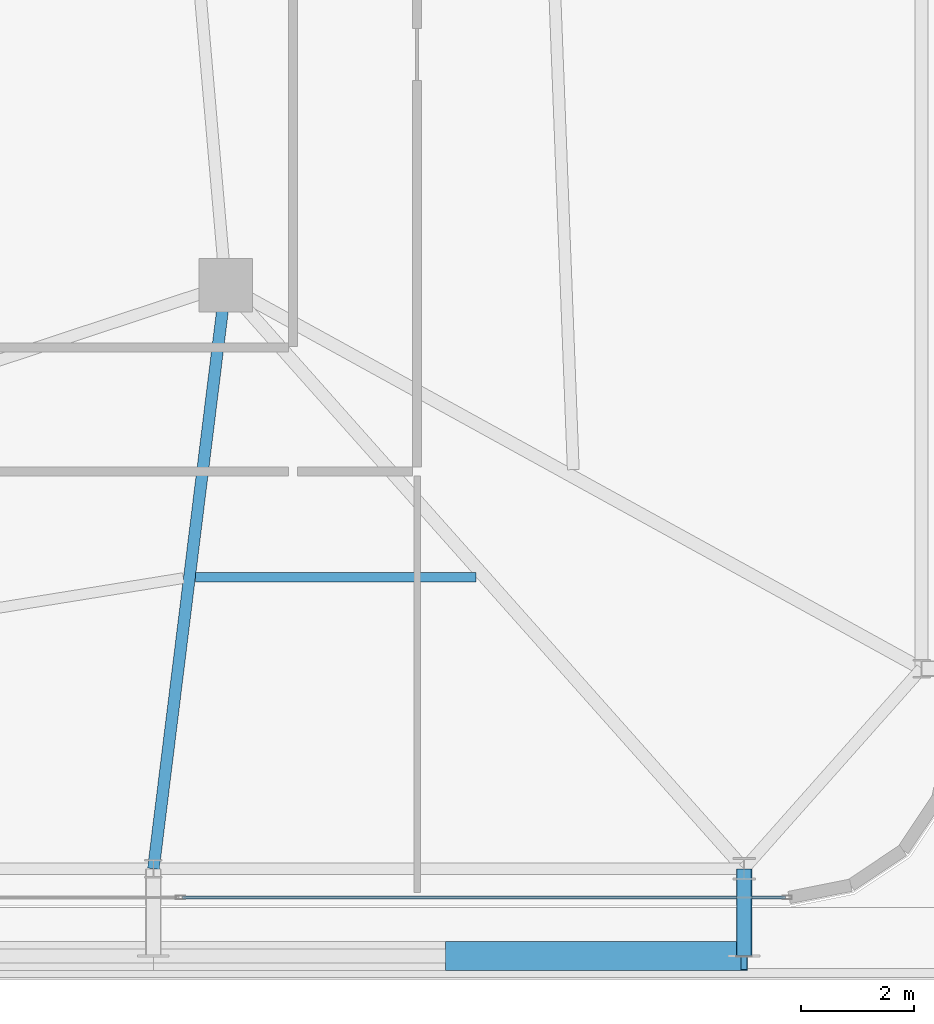
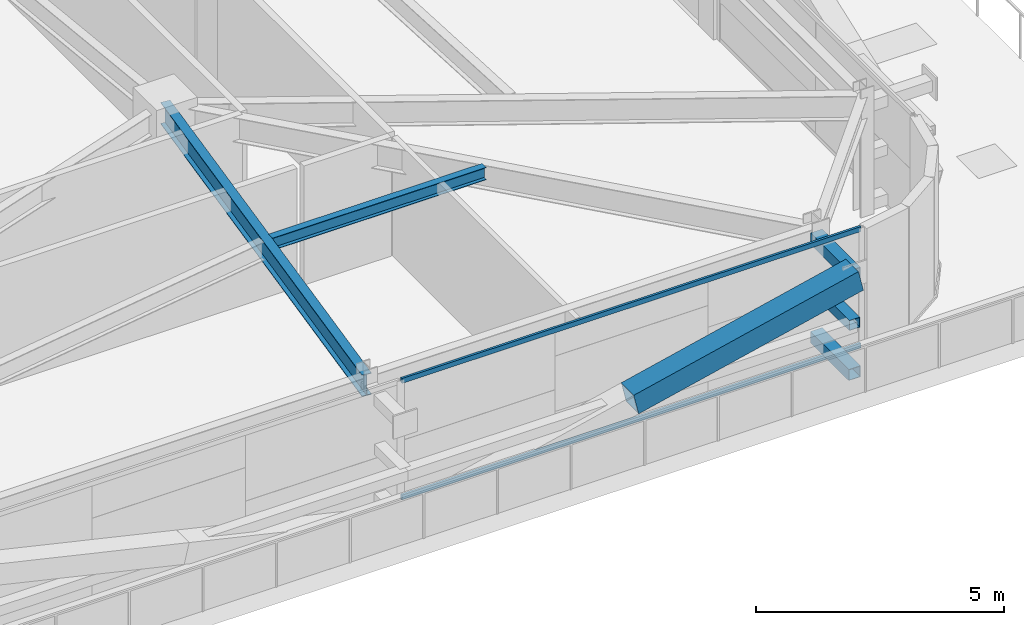
# One storey, part 22 of 56: 6 members, 2 beams, 1 element without a shape of its own.
"""IFC4 building model written with IfcOpenShell, lengths in metres."""

from ifc_helpers import new_model, si_unit, direction, frame, origin, origin_2d, place, context, subcontext, project, spatial, hollow_rectangle, i_section, extrude, source, transform, mapped, material, layer, layer_set, material_profile, profile_set, type_object, element, aggregate, save


model = new_model("IFC4")

# Units and contexts
model_context = context("Model", 3, precision=1e-05, world=origin(), true_north=direction((0.0, 1.0)))
body_context = subcontext(model_context, "Body", "Model", "MODEL_VIEW")
ifc_project = project(units=[si_unit("LENGTHUNIT", "METRE"), si_unit("AREAUNIT", "SQUARE_METRE"), si_unit("VOLUMEUNIT", "CUBIC_METRE"), si_unit("PLANEANGLEUNIT", "RADIAN"), si_unit("MASSUNIT", "GRAM", prefix="KILO")], contexts=[model_context])

# Site, building, storey
site_placement = place(None, origin())
site = spatial("IfcSite", under=ifc_project, at=site_placement, CompositionType="ELEMENT")
building_placement = place(site_placement, origin())
building = spatial("IfcBuilding", under=site, at=building_placement, Name="Taldren Reach Tower", CompositionType="ELEMENT")
storey_placement = place(building_placement, frame((0.0, 0.0, 16.800048828125)))
storey = spatial("IfcBuildingStorey", under=building, at=storey_placement, Name="L04", CompositionType="ELEMENT", Elevation=16.800048828125)

# Beams
ifc_material_1 = material(Name="Steel Gr 350 (350PLUS)", Category="steel")
ifc_material_profile_1 = material_profile(ifc_material_1, i_section(OverallWidth=0.208984375, OverallDepth=0.532958984375, WebThickness=0.01025390625, FlangeThickness=0.015625, at=origin_2d()), Name="530UB92.4")
ifc_profile_set_1 = profile_set([ifc_material_profile_1], Name="Steel Gr 350 (350PLUS)")
beam_type_1 = type_object("IfcBeamType", Name="BM-UB530A", PredefinedType="BEAM", material=ifc_profile_set_1)
shared_shape_1 = source(origin(), body_context, "Body", "SweptSolid", [
    extrude(i_section(OverallWidth=0.208984375, OverallDepth=0.532958984375, WebThickness=0.01025390625, FlangeThickness=0.015625, at=origin_2d()), origin(), (0.0, 0.0, 1.0), 10.428955078125),
])
beam_1_placement = place(storey_placement, frame((52.0, 12.5, 2.663330078125), z_axis=(-0.122738080664, -0.992439098159, 0.0), x_axis=(0.992439098159, -0.122738080664, 0.0)))
element("IfcBeam", 1, at=beam_1_placement, inside=storey, type_object=beam_type_1, Name="Primary floor girder B1-S5 L04", PredefinedType="BEAM", context=body_context, shape_type="MappedRepresentation", body=[
    mapped(shared_shape_1, transform((0.0, 0.0, 0.0), scale=1.0)),
])
ifc_material_2 = material(Name="Steel Gr 300 (300PLUS, 300 MPa)", Category="steel")
ifc_material_profile_2 = material_profile(ifc_material_2, i_section(OverallWidth=0.166015625, OverallDepth=0.306884765625, WebThickness=0.006591796875, FlangeThickness=0.01171875, at=origin_2d()), Name="310UB46.2")
ifc_profile_set_2 = profile_set([ifc_material_profile_2], Name="Steel Gr 300 (300PLUS, 300 MPa)")
beam_type_2 = type_object("IfcBeamType", Name="JS-UB310", PredefinedType="JOIST", material=ifc_profile_set_2)
shared_shape_2 = source(origin(), body_context, "Body", "SweptSolid", [
    extrude(i_section(OverallWidth=0.166015625, OverallDepth=0.306884765625, WebThickness=0.006591796875, FlangeThickness=0.01171875, at=origin_2d()), origin(), (0.0, 0.0, 1.0), 4.982177734375),
])
beam_2_placement = place(storey_placement, frame((51.46533203125, 7.324951171875, 2.7763671875), z_axis=(1.0, 0.0, 0.0), x_axis=(0.0, 1.0, 0.0)))
element("IfcBeam", 2, at=beam_2_placement, inside=storey, type_object=beam_type_2, Name="Secondary floor joist B1 J5 L04", PredefinedType="JOIST", context=body_context, shape_type="MappedRepresentation", body=[
    mapped(shared_shape_2, transform((0.0, 0.0, 0.0), scale=1.0)),
])

# Members
ifc_material_3 = material(Name="Steel Gr 450 (C450L0)", Category="steel")
ifc_material_profile_3 = material_profile(ifc_material_3, hollow_rectangle(XDim=0.27490234375, YDim=0.27490234375, WallThickness=0.00927734375, at=origin_2d()), Name="275x275x9.3SHS")
ifc_profile_set_3 = profile_set([ifc_material_profile_3], Name="Steel Gr 450 (C450L0)")
member_type_1 = type_object("IfcMemberType", Name="MB-TIE273", PredefinedType="STRUT", material=ifc_profile_set_3)
shared_shape_3 = source(origin(), body_context, "Body", "SweptSolid", [
    extrude(hollow_rectangle(XDim=0.27490234375, YDim=0.27490234375, WallThickness=0.00927734375, at=origin_2d()), origin(), (0.0, 0.0, 1.0), 1.5498046875),
])
for number, where, z_axis, x_axis, name in (
    (3, (61.199951171875, 2.14990234375, 2.64990234375), (0.0, -1.0, 0.0), (1.0, 0.0, 0.0), "Exoskeleton diaphragm tie strut B1-S6 L04"),
    (4, (61.199951171875, 2.14990234375, 0.219970703125), (0.0, -1.0, 0.0), (1.0, 0.0, 0.0), "Exoskeleton base diaphragm tie strut B1-S6 L04"),
):
    element("IfcMember", number, at=place(storey_placement, frame(where, z_axis=z_axis, x_axis=x_axis)), inside=storey, type_object=member_type_1, Name=name, PredefinedType="STRUT", context=body_context, shape_type="MappedRepresentation", body=[
        mapped(shared_shape_3, transform((0.0, 0.0, 0.0), scale=1.0)),
    ])
ifc_material_profile_4 = material_profile(ifc_material_3, hollow_rectangle(XDim=0.510009765625, YDim=0.510009765625, WallThickness=0.02001953125, at=origin_2d()), Name="510x510x20.0SHS")
ifc_profile_set_4 = profile_set([ifc_material_profile_4], Name="Steel Gr 450 (C450L0)")
member_type_2 = type_object("IfcMemberType", Name="MB-EXO508", PredefinedType="BRACE", material=ifc_profile_set_4)
shared_shape_4 = source(origin(), body_context, "Body", "SweptSolid", [
    extrude(hollow_rectangle(XDim=0.510009765625, YDim=0.510009765625, WallThickness=0.02001953125, at=origin_2d()), origin(), (0.0, 0.0, 1.0), 5.37890625),
])
member_1_placement = place(storey_placement, frame((55.9599609375, 0.60009765625, 1.43505859375), z_axis=(0.974161966843, 0.0, 0.225850531007), x_axis=(0.0, 1.0, 0.0)))
element("IfcMember", 5, at=member_1_placement, inside=storey, type_object=member_type_2, Name="Exoskeleton Diagrid Brace B1-S5 L04", PredefinedType="BRACE", context=body_context, shape_type="MappedRepresentation", body=[
    mapped(shared_shape_4, transform((0.0, 0.0, 0.0), scale=1.0)),
])
ifc_material_4 = material(Name="Steel Gr 350 (C350L0)", Category="steel")
ifc_material_profile_5 = material_profile(ifc_material_4, hollow_rectangle(XDim=0.25, YDim=0.25, WallThickness=0.010009765625, at=origin_2d()), Name="250x250x10.0SHS")
ifc_profile_set_5 = profile_set([ifc_material_profile_5], Name="Steel Gr 350 (C350L0)")
member_type_3 = type_object("IfcMemberType", Name="MB-POST250", PredefinedType="POST", material=ifc_profile_set_5)
shared_shape_5 = source(origin(), body_context, "Body", "SweptSolid", [
    extrude(hollow_rectangle(XDim=0.25, YDim=0.25, WallThickness=0.010009765625, at=origin_2d()), origin(), (0.0, 0.0, 1.0), 1.5498046875),
])
member_2_placement = place(storey_placement, frame((61.199951171875, 2.14990234375, 1.43505859375), z_axis=(0.0, -1.0, 0.0), x_axis=(1.0, 0.0, 0.0)))
element("IfcMember", 6, at=member_2_placement, inside=storey, type_object=member_type_3, Name="Exoskeleton mid-tier diaphragm tie B1-S6 L04", PredefinedType="POST", context=body_context, shape_type="MappedRepresentation", body=[
    mapped(shared_shape_5, transform((0.0, 0.0, 0.0), scale=1.0)),
])

# Curtain wall, members
ifc_material_5 = material(Name="Aluminium and Low-E Glass Unitised System", Category="aluminium")
ifc_layer = layer(ifc_material_5, 0.159912109375)
ifc_layer_set = layer_set([ifc_layer], Name="Aluminium and Low-E Glass Unitised System")
curtain_wall_type = type_object("IfcCurtainWallType", Name="CW-SYS-2", PredefinedType="NOTDEFINED", material=ifc_layer_set)
curtain_wall_placement = place(storey_placement, origin())
curtain_wall = element("IfcCurtainWall", 7, at=curtain_wall_placement, inside=storey, type_object=curtain_wall_type, Name="Unitised curtain wall CW-L04-S", PredefinedType="NOTDEFINED")
ifc_material_6 = material(Name="Anodised Aluminium 6063-T6", Category="aluminium")
ifc_material_profile_6 = material_profile(ifc_material_6, hollow_rectangle(XDim=0.054931640625, YDim=0.1201171875, WallThickness=0.0029296875, at=origin_2d()), Name="ALU-120x55x3RHS")
ifc_profile_set_6 = profile_set([ifc_material_profile_6], Name="Anodised Aluminium 6063-T6")
member_type_4 = type_object("IfcMemberType", Name="CW-TRN-135", PredefinedType="USERDEFINED", material=ifc_profile_set_6)
shared_shape_6 = source(origin(), body_context, "Body", "SweptSolid", [
    extrude(hollow_rectangle(XDim=0.054931640625, YDim=0.1201171875, WallThickness=0.0029296875, at=origin_2d()), origin(), (0.0, 0.0, 1.0), 10.70263671875),
])
member_3_placement = place(storey_placement, frame((51.232421875, 1.639892578125, 0.02734375), z_axis=(1.0, 0.0, 0.0), x_axis=(0.0, 1.0, 0.0)))
member_3 = element("IfcMember", 8, at=member_3_placement, type_object=member_type_4, Name="CW-2 transom 5.1", ObjectType="TRANSOM", PredefinedType="USERDEFINED", context=body_context, shape_type="MappedRepresentation", body=[
    mapped(shared_shape_6, transform((0.0, 0.0, 0.0), scale=1.0)),
])
member_4_placement = place(storey_placement, frame((51.232421875, 1.639892578125, 2.90234375), z_axis=(1.0, 0.0, 0.0), x_axis=(0.0, 1.0, 0.0)))
member_4 = element("IfcMember", 9, at=member_4_placement, type_object=member_type_4, Name="CW-2 transom 5.2", ObjectType="TRANSOM", PredefinedType="USERDEFINED", context=body_context, shape_type="MappedRepresentation", body=[
    mapped(shared_shape_6, transform((0.0, 0.0, 0.0), scale=1.0)),
])
aggregate(curtain_wall, [member_3, member_4])

save(model, "model.ifc")
